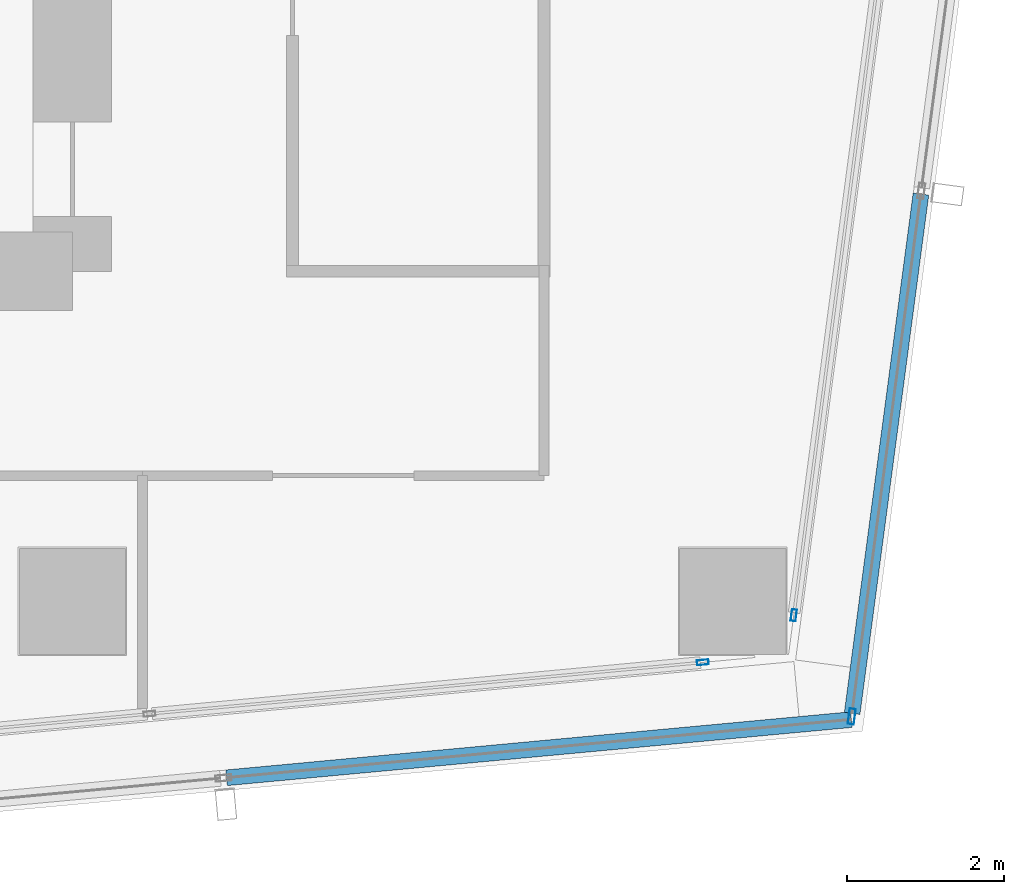
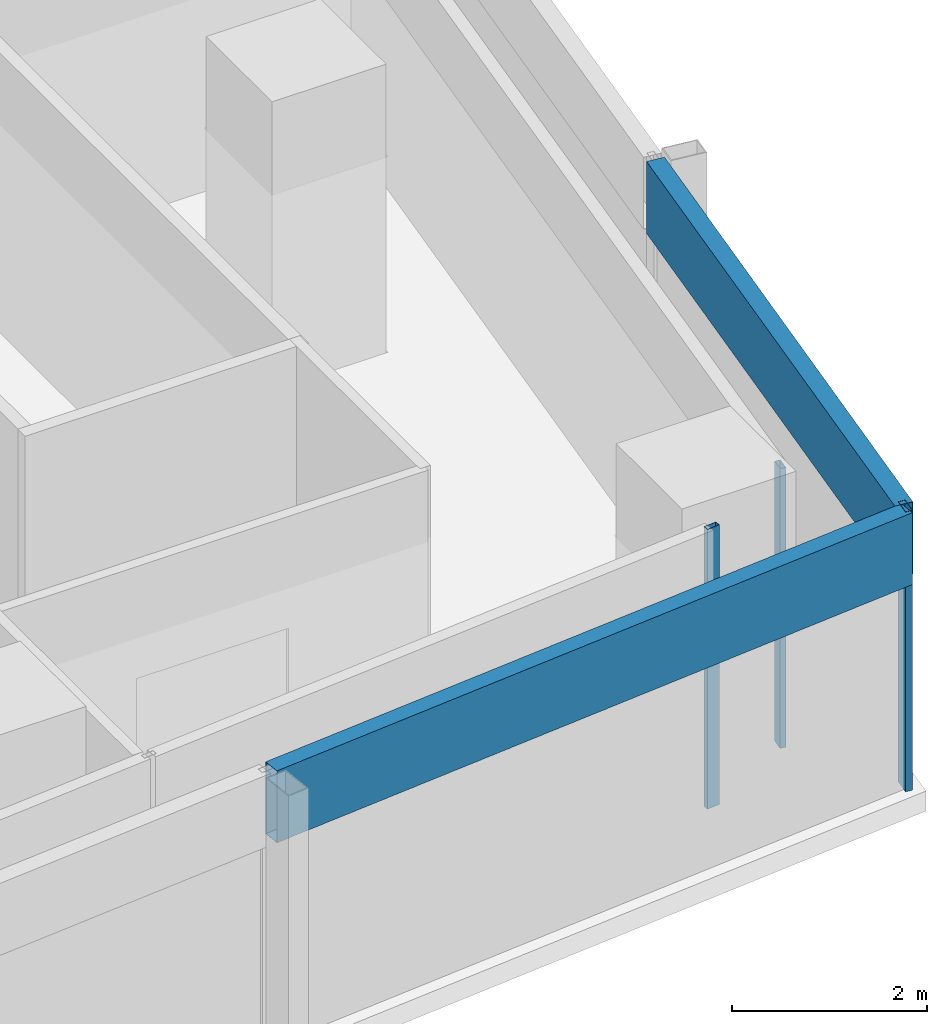
# One storey, part 12 of 40: 5 members, 4 elements without a shape of their own.
"""IFC4 building model written with IfcOpenShell, lengths in metres."""

from ifc_helpers import new_model, si_unit, direction, frame, origin, origin_2d, place, context, subcontext, project, spatial, hollow_rectangle, extrude, material, material_profile, profile_set, type_object, element, aggregate, save


model = new_model("IFC4")

# Units and contexts
model_context = context("Model", 3, precision=1e-05, world=origin(), true_north=direction((0.0, 1.0)))
body_context = subcontext(model_context, "Body", "Model", "MODEL_VIEW")
ifc_project = project(units=[si_unit("LENGTHUNIT", "METRE"), si_unit("AREAUNIT", "SQUARE_METRE"), si_unit("VOLUMEUNIT", "CUBIC_METRE"), si_unit("PLANEANGLEUNIT", "RADIAN"), si_unit("MASSUNIT", "GRAM", prefix="KILO")], contexts=[model_context])

# Site, building, storey
site_placement = place(None, origin())
site = spatial("IfcSite", under=ifc_project, at=site_placement, CompositionType="ELEMENT")
building_placement = place(site_placement, origin())
building = spatial("IfcBuilding", under=site, at=building_placement, Name="Rekha Terrace Tower", CompositionType="ELEMENT")
storey_placement = place(building_placement, frame((0.0, 0.0, 210.199951171875)))
storey = spatial("IfcBuildingStorey", under=building, at=storey_placement, Name="L53", CompositionType="ELEMENT", Elevation=210.199951171875)

# Curtain wall, member
ifc_material_1 = material(Name="Aluminium framing", Category="aluminium")
curtain_wall_type_1 = type_object("IfcCurtainWallType", Name="CW1 double skin inner glazing", PredefinedType="USERDEFINED", material=ifc_material_1)
curtain_wall_1_placement = place(storey_placement, origin())
curtain_wall_1 = element("IfcCurtainWall", 1, at=curtain_wall_1_placement, inside=storey, type_object=curtain_wall_type_1, Name="CW1 double skin inner glazing", ObjectType="DOUBLE SKIN INNER GLAZING", PredefinedType="USERDEFINED")
ifc_material_2 = material(Name="Aluminium mullion section", Category="aluminium")
ifc_material_profile_1 = material_profile(ifc_material_2, hollow_rectangle(XDim=0.06494140625, YDim=0.14990234375, WallThickness=0.00390625, at=origin_2d()), Name="AL RHS 65x150")
ifc_profile_set_1 = profile_set([ifc_material_profile_1], Name="Aluminium mullion section")
member_type_1 = type_object("IfcMemberType", Name="CW1 mullion RHS 65 x 150", PredefinedType="MULLION", material=ifc_profile_set_1)
member_1_placement = place(storey_placement, frame((58.419677734375, 16.025634765625, 0.0), z_axis=(0.0, 0.0, 1.0), x_axis=(-0.092708869564, 0.995693258742, 0.0)))
member_1 = element("IfcMember", 2, at=member_1_placement, type_object=member_type_1, Name="CW1 mullion 3", PredefinedType="MULLION", context=body_context, shape_type="SweptSolid", body=[
    extrude(hollow_rectangle(XDim=0.06494140625, YDim=0.14990234375, WallThickness=0.00390625, at=origin_2d()), origin(), (0.0, 0.0, 1.0), 3.5),
])
aggregate(curtain_wall_1, [member_1])

curtain_wall_2_placement = place(storey_placement, origin())
curtain_wall_2 = element("IfcCurtainWall", 3, at=curtain_wall_2_placement, inside=storey, type_object=curtain_wall_type_1, Name="CW1 double skin inner glazing", ObjectType="DOUBLE SKIN INNER GLAZING", PredefinedType="USERDEFINED")
member_2_placement = place(storey_placement, frame((59.576171875, 16.624755859375, 0.0), z_axis=(0.0, 0.0, 1.0), x_axis=(-0.991342203185, 0.131303603093, 0.0)))
member_2 = element("IfcMember", 4, at=member_2_placement, type_object=member_type_1, Name="CW1 mullion 1", PredefinedType="MULLION", context=body_context, shape_type="SweptSolid", body=[
    extrude(hollow_rectangle(XDim=0.06494140625, YDim=0.14990234375, WallThickness=0.00390625, at=origin_2d()), origin(), (0.0, 0.0, 1.0), 3.5),
])
aggregate(curtain_wall_2, [member_2])

curtain_wall_type_2 = type_object("IfcCurtainWallType", Name="CW2 double skin outer glazing", PredefinedType="USERDEFINED", material=ifc_material_1)
curtain_wall_3_placement = place(storey_placement, origin())
curtain_wall_3 = element("IfcCurtainWall", 5, at=curtain_wall_3_placement, inside=storey, type_object=curtain_wall_type_2, Name="CW2 double skin outer glazing", ObjectType="DOUBLE SKIN OUTER GLAZING", PredefinedType="USERDEFINED")
ifc_material_profile_2 = material_profile(ifc_material_2, hollow_rectangle(XDim=0.080078125, YDim=0.199951171875, WallThickness=0.00390625, at=origin_2d()), Name="AL RHS 80x200")
ifc_profile_set_2 = profile_set([ifc_material_profile_2], Name="Aluminium mullion section")
member_type_2 = type_object("IfcMemberType", Name="CW2 mullion RHS 80 x 200", PredefinedType="MULLION", material=ifc_profile_set_2)
member_3_placement = place(storey_placement, frame((60.3134765625, 15.337158203125, 0.0), z_axis=(0.0, 0.0, 1.0), x_axis=(-0.991342203187, 0.131303603075, 0.0)))
member_3 = element("IfcMember", 6, at=member_3_placement, type_object=member_type_2, Name="CW2 mullion 1", PredefinedType="MULLION", context=body_context, shape_type="SweptSolid", body=[
    extrude(hollow_rectangle(XDim=0.080078125, YDim=0.199951171875, WallThickness=0.00390625, at=origin_2d()), origin(), (0.0, 0.0, 1.0), 3.5),
])

curtain_wall_4_placement = place(storey_placement, origin())
curtain_wall_4 = element("IfcCurtainWall", 7, at=curtain_wall_4_placement, inside=storey, type_object=curtain_wall_type_2, Name="CW2 double skin outer glazing", ObjectType="DOUBLE SKIN OUTER GLAZING", PredefinedType="USERDEFINED")
ifc_material_3 = material(Name="Insulated aluminium spandrel box", Category="aluminium")
ifc_material_profile_3 = material_profile(ifc_material_3, hollow_rectangle(XDim=0.199951171875, YDim=0.89990234375, WallThickness=0.0029296875, at=origin_2d()), Name="AL SPANDREL BOX 200x900")
ifc_profile_set_3 = profile_set([ifc_material_profile_3], Name="Insulated aluminium spandrel box")
member_type_3 = type_object("IfcMemberType", Name="CW2 spandrel transom 200 x 900", PredefinedType="USERDEFINED", material=ifc_profile_set_3)
member_4_placement = place(storey_placement, frame((52.36181640625, 14.5576171875, 3.050048828125), z_axis=(0.99569478362, 0.092692490917, 0.0), x_axis=(-0.092692490917, 0.99569478362, 0.0)))
member_4 = element("IfcMember", 8, at=member_4_placement, type_object=member_type_3, Name="CW2 spandrel transom 2", ObjectType="TRANSOM", PredefinedType="USERDEFINED", context=body_context, shape_type="SweptSolid", body=[
    extrude(hollow_rectangle(XDim=0.199951171875, YDim=0.89990234375, WallThickness=0.0029296875, at=origin_2d()), origin(), (0.0, 0.0, 1.0), 7.980712890625),
])
aggregate(curtain_wall_4, [member_4])

# Member
member_5_placement = place(storey_placement, frame((60.318603515625, 15.376708984375, 3.050048828125), z_axis=(0.131318864981, 0.991340181623, 0.0), x_axis=(-0.991340181623, 0.131318864981, 0.0)))
member_5 = element("IfcMember", 9, at=member_5_placement, type_object=member_type_3, Name="CW2 spandrel transom 1", ObjectType="TRANSOM", PredefinedType="USERDEFINED", context=body_context, shape_type="SweptSolid", body=[
    extrude(hollow_rectangle(XDim=0.199951171875, YDim=0.89990234375, WallThickness=0.0029296875, at=origin_2d()), origin(), (0.0, 0.0, 1.0), 6.6630859375),
])

aggregate(curtain_wall_3, [member_3, member_5])

save(model, "model.ifc")
